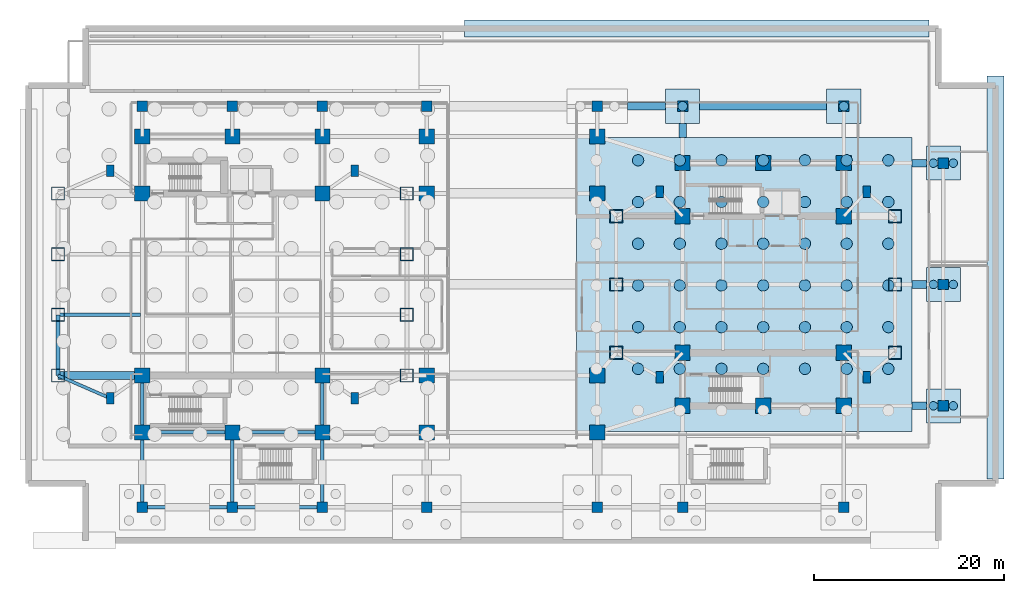
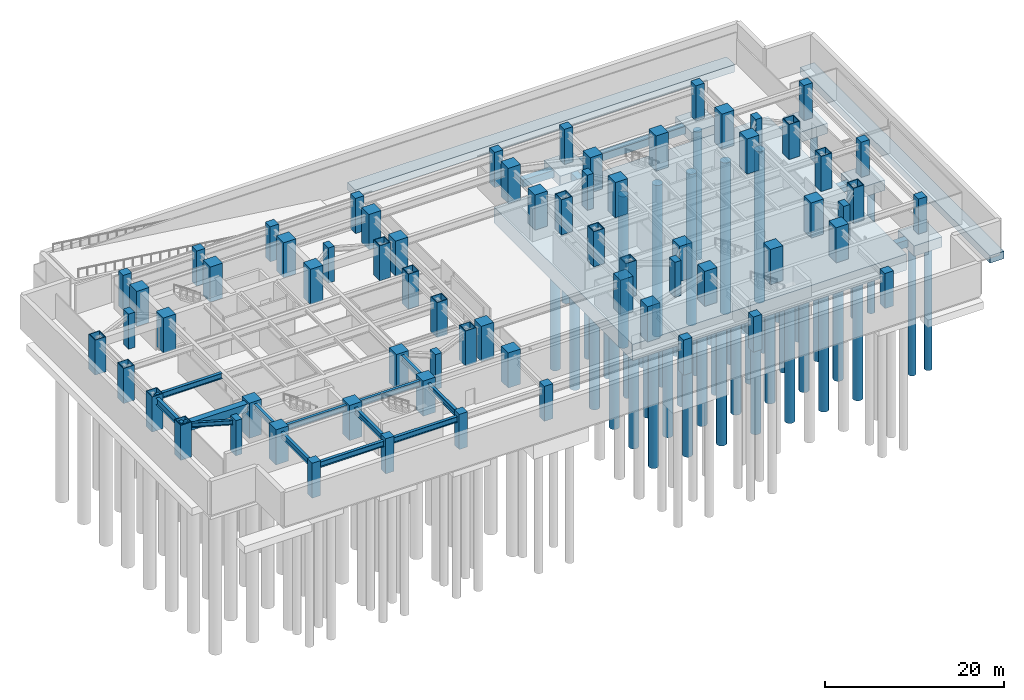
# One storey, part 2 of 16: 67 columns, 50 piles, 14 footings, 13 beams.
"""IFC4 building model written with IfcOpenShell, lengths in metres."""

from ifc_helpers import new_model, si_unit, direction, frame, origin, origin_2d, place, context, subcontext, project, spatial, polyline, rectangle, hollow_rectangle, circle, i_section, outline, extrude, material, material_profile, profile_set, type_object, element, save


model = new_model("IFC4")

# Units and contexts
model_context = context("Model", 3, precision=1e-05, world=origin(), true_north=direction((0.0, 1.0)))
body_context = subcontext(model_context, "Body", "Model", "MODEL_VIEW")
ifc_project = project(units=[si_unit("LENGTHUNIT", "METRE"), si_unit("AREAUNIT", "SQUARE_METRE"), si_unit("VOLUMEUNIT", "CUBIC_METRE"), si_unit("PLANEANGLEUNIT", "RADIAN"), si_unit("MASSUNIT", "GRAM", prefix="KILO")], contexts=[model_context])

# Site, building, storey
site_placement = place(None, origin())
site = spatial("IfcSite", under=ifc_project, at=site_placement, CompositionType="ELEMENT")
building_placement = place(site_placement, origin())
building = spatial("IfcBuilding", under=site, at=building_placement, Name="Mirazonda Arch Towers", CompositionType="ELEMENT")
storey_placement = place(building_placement, frame((0.0, 0.0, -4.800048828125)))
storey = spatial("IfcBuildingStorey", under=building, at=storey_placement, Name="B1", CompositionType="ELEMENT", Elevation=-4.800048828125)

# Footings
ifc_material_1 = material(Name="Concrete C50/60", Category="concrete")
footing_type_1 = type_object("IfcFootingType", Name="FOOT-CAP-POD-B", PredefinedType="PILE_CAP", material=ifc_material_1)
footing_1_placement = place(storey_placement, frame((0.0, 0.0, -1.800048828125)))
element("IfcFooting", 1, at=footing_1_placement, inside=storey, type_object=footing_type_1, Name="Pile Cap POD-N4", PredefinedType="PILE_CAP", context=body_context, shape_type="SweptSolid", body=[
    extrude(outline(polyline([(66.199951171875, 45.0), (69.800048828125, 45.0), (69.800048828125, 48.60009765625), (66.199951171875, 48.60009765625), (66.199951171875, 45.0)])), origin(), (0.0, 0.0, 1.0), 1.400146484375),
])
footing_2_placement = place(storey_placement, frame((0.0, 0.0, -1.800048828125)))
element("IfcFooting", 2, at=footing_2_placement, inside=storey, type_object=footing_type_1, Name="Pile Cap POD-N5", PredefinedType="PILE_CAP", context=body_context, shape_type="SweptSolid", body=[
    extrude(outline(polyline([(83.199951171875, 45.0), (86.800048828125, 45.0), (86.800048828125, 48.60009765625), (83.199951171875, 48.60009765625), (83.199951171875, 45.0)])), origin(), (0.0, 0.0, 1.0), 1.400146484375),
])
footing_3_placement = place(storey_placement, frame((0.0, 0.0, -1.800048828125)))
element("IfcFooting", 3, at=footing_3_placement, inside=storey, type_object=footing_type_1, Name="Pile Cap POD-E1", PredefinedType="PILE_CAP", context=body_context, shape_type="SweptSolid", body=[
    extrude(outline(polyline([(93.699951171875, 13.39990234375), (97.300048828125, 13.39990234375), (97.300048828125, 17.0), (93.699951171875, 17.0), (93.699951171875, 13.39990234375)])), origin(), (0.0, 0.0, 1.0), 1.400146484375),
])
footing_4_placement = place(storey_placement, frame((0.0, 0.0, -1.800048828125)))
element("IfcFooting", 4, at=footing_4_placement, inside=storey, type_object=footing_type_1, Name="Pile Cap POD-E2", PredefinedType="PILE_CAP", context=body_context, shape_type="SweptSolid", body=[
    extrude(outline(polyline([(93.699951171875, 26.199951171875), (97.300048828125, 26.199951171875), (97.300048828125, 29.800048828125), (93.699951171875, 29.800048828125), (93.699951171875, 26.199951171875)])), origin(), (0.0, 0.0, 1.0), 1.400146484375),
])
footing_5_placement = place(storey_placement, frame((0.0, 0.0, -1.800048828125)))
element("IfcFooting", 5, at=footing_5_placement, inside=storey, type_object=footing_type_1, Name="Pile Cap POD-E3", PredefinedType="PILE_CAP", context=body_context, shape_type="SweptSolid", body=[
    extrude(outline(polyline([(93.699951171875, 39.0), (97.300048828125, 39.0), (97.300048828125, 42.60009765625), (93.699951171875, 42.60009765625), (93.699951171875, 39.0)])), origin(), (0.0, 0.0, 1.0), 1.400146484375),
])
footing_type_2 = type_object("IfcFootingType", Name="FOOT-RAFT-T2", PredefinedType="PILE_CAP", material=ifc_material_1)
footing_6_placement = place(storey_placement, frame((0.0, 0.0, -2.599853515625)))
element("IfcFooting", 6, at=footing_6_placement, inside=storey, type_object=footing_type_2, Name="Tower 2 Piled Raft Foundation", PredefinedType="PILE_CAP", context=body_context, shape_type="SweptSolid", body=[
    extrude(outline(polyline([(56.800048828125, 12.5), (92.199951171875, 12.5), (92.199951171875, 43.5), (56.800048828125, 43.5), (56.800048828125, 12.5)])), origin(), (0.0, 0.0, 1.0), 2.199951171875),
])
footing_type_3 = type_object("IfcFootingType", Name="FOOT-STRIP-RET", PredefinedType="STRIP_FOOTING", material=ifc_material_1)
footing_7_placement = place(storey_placement, frame((0.0, 0.0, -1.39990234375)))
element("IfcFooting", 7, at=footing_7_placement, inside=storey, type_object=footing_type_3, Name="Retaining Wall Strip Footing STF-N1", PredefinedType="STRIP_FOOTING", context=body_context, shape_type="SweptSolid", body=[
    extrude(outline(polyline([(45.0, 54.10009765625), (94.0, 54.10009765625), (94.0, 55.89990234375), (45.0, 55.89990234375), (45.0, 54.10009765625)])), origin(), (0.0, 0.0, 1.0), 1.0),
])
footing_8_placement = place(storey_placement, frame((0.0, 0.0, -1.39990234375)))
element("IfcFooting", 8, at=footing_8_placement, inside=storey, type_object=footing_type_3, Name="Retaining Wall Strip Footing STF-E1", PredefinedType="STRIP_FOOTING", context=body_context, shape_type="SweptSolid", body=[
    extrude(outline(polyline([(100.10009765625, 7.5), (101.89990234375, 7.5), (101.89990234375, 50.0), (100.10009765625, 50.0), (100.10009765625, 7.5)])), origin(), (0.0, 0.0, 1.0), 1.0),
])
footing_type_4 = type_object("IfcFootingType", Name="FOOT-TIE-BEAM-800", PredefinedType="FOOTING_BEAM", material=ifc_material_1)
footing_9_placement = place(storey_placement, frame((0.0, 0.0, -1.39990234375)))
element("IfcFooting", 9, at=footing_9_placement, inside=storey, type_object=footing_type_4, Name="Ground Tie Beam TB-N-2", PredefinedType="FOOTING_BEAM", context=body_context, shape_type="SweptSolid", body=[
    extrude(outline(polyline([(62.199951171875, 46.39990234375), (66.199951171875, 46.39990234375), (66.199951171875, 47.199951171875), (62.199951171875, 47.199951171875), (62.199951171875, 46.39990234375)])), origin(), (0.0, 0.0, 1.0), 1.0),
])
footing_10_placement = place(storey_placement, frame((0.0, 0.0, -1.39990234375)))
element("IfcFooting", 10, at=footing_10_placement, inside=storey, type_object=footing_type_4, Name="Ground Tie Beam TB-N-3", PredefinedType="FOOTING_BEAM", context=body_context, shape_type="SweptSolid", body=[
    extrude(outline(polyline([(69.800048828125, 46.39990234375), (83.199951171875, 46.39990234375), (83.199951171875, 47.199951171875), (69.800048828125, 47.199951171875), (69.800048828125, 46.39990234375)])), origin(), (0.0, 0.0, 1.0), 1.0),
])
footing_11_placement = place(storey_placement, frame((0.0, 0.0, -1.39990234375)))
element("IfcFooting", 11, at=footing_11_placement, inside=storey, type_object=footing_type_4, Name="Ground Tie Beam TB-CN-1", PredefinedType="FOOTING_BEAM", context=body_context, shape_type="SweptSolid", body=[
    extrude(outline(polyline([(67.60009765625, 43.5), (68.39990234375, 43.5), (68.39990234375, 45.0), (67.60009765625, 45.0), (67.60009765625, 43.5)])), origin(), (0.0, 0.0, 1.0), 1.0),
])
footing_12_placement = place(storey_placement, frame((0.0, 0.0, -1.39990234375)))
element("IfcFooting", 12, at=footing_12_placement, inside=storey, type_object=footing_type_4, Name="Ground Tie Beam TB-E-1", PredefinedType="FOOTING_BEAM", context=body_context, shape_type="SweptSolid", body=[
    extrude(outline(polyline([(92.199951171875, 14.800048828125), (93.699951171875, 14.800048828125), (93.699951171875, 15.60009765625), (92.199951171875, 15.60009765625), (92.199951171875, 14.800048828125)])), origin(), (0.0, 0.0, 1.0), 1.0),
])
footing_13_placement = place(storey_placement, frame((0.0, 0.0, -1.39990234375)))
element("IfcFooting", 13, at=footing_13_placement, inside=storey, type_object=footing_type_4, Name="Ground Tie Beam TB-E-2", PredefinedType="FOOTING_BEAM", context=body_context, shape_type="SweptSolid", body=[
    extrude(outline(polyline([(92.199951171875, 27.60009765625), (93.699951171875, 27.60009765625), (93.699951171875, 28.39990234375), (92.199951171875, 28.39990234375), (92.199951171875, 27.60009765625)])), origin(), (0.0, 0.0, 1.0), 1.0),
])
footing_14_placement = place(storey_placement, frame((0.0, 0.0, -1.39990234375)))
element("IfcFooting", 14, at=footing_14_placement, inside=storey, type_object=footing_type_4, Name="Ground Tie Beam TB-E-3", PredefinedType="FOOTING_BEAM", context=body_context, shape_type="SweptSolid", body=[
    extrude(outline(polyline([(92.199951171875, 40.39990234375), (93.699951171875, 40.39990234375), (93.699951171875, 41.199951171875), (92.199951171875, 41.199951171875), (92.199951171875, 40.39990234375)])), origin(), (0.0, 0.0, 1.0), 1.0),
])

# Piles
ifc_material_profile_1 = material_profile(ifc_material_1, circle(Radius=0.5, at=origin_2d()), Name="BORED-D1000")
ifc_profile_set_1 = profile_set([ifc_material_profile_1], Name="Concrete C50/60")
pile_type_1 = type_object("IfcPileType", Name="PILE-1000", PredefinedType="BORED", material=ifc_profile_set_1)
for number, where, z_axis, x_axis, name in (
    (15, (68.0, 46.800048828125, -1.699951171875), (0.0, 0.0, -1.0), (1.0, 0.0, 0.0), "Rock-Socketed Bored Pile 031"),
    (16, (85.0, 46.800048828125, -1.699951171875), (0.0, 0.0, -1.0), (1.0, 0.0, 0.0), "Rock-Socketed Bored Pile 032"),
):
    element("IfcPile", number, at=place(storey_placement, frame(where, z_axis=z_axis, x_axis=x_axis)), inside=storey, type_object=pile_type_1, Name=name, PredefinedType="BORED", context=body_context, shape_type="SweptSolid", body=[
        extrude(circle(Radius=0.5, at=origin_2d()), origin(), (0.0, 0.0, 1.0), 17.5),
    ])
ifc_material_profile_2 = material_profile(ifc_material_1, circle(Radius=0.60009765625, at=origin_2d()), Name="BORED-D1200")
ifc_profile_set_2 = profile_set([ifc_material_profile_2], Name="Concrete C50/60")
pile_type_2 = type_object("IfcPileType", Name="PILE-1200", PredefinedType="BORED", material=ifc_profile_set_2)
for number, where, z_axis, x_axis, name in (
    (17, (63.300048828125, 19.10009765625, -2.5), (0.0, 0.0, -1.0), (1.0, 0.0, 0.0), "Tower 2 Raft Bored Pile 2-2"),
    (18, (63.300048828125, 23.5, -2.5), (0.0, 0.0, -1.0), (1.0, 0.0, 0.0), "Tower 2 Raft Bored Pile 2-3"),
    (19, (63.300048828125, 27.89990234375, -2.5), (0.0, 0.0, -1.0), (1.0, 0.0, 0.0), "Tower 2 Raft Bored Pile 2-4"),
    (20, (63.300048828125, 32.300048828125, -2.5), (0.0, 0.0, -1.0), (1.0, 0.0, 0.0), "Tower 2 Raft Bored Pile 2-5"),
    (21, (63.300048828125, 36.699951171875, -2.5), (0.0, 0.0, -1.0), (1.0, 0.0, 0.0), "Tower 2 Raft Bored Pile 2-6"),
    (22, (63.300048828125, 41.10009765625, -2.5), (0.0, 0.0, -1.0), (1.0, 0.0, 0.0), "Tower 2 Raft Bored Pile 2-7"),
    (23, (67.699951171875, 19.10009765625, -2.5), (0.0, 0.0, -1.0), (1.0, 0.0, 0.0), "Tower 2 Raft Bored Pile 3-2"),
    (24, (67.699951171875, 23.5, -2.5), (0.0, 0.0, -1.0), (1.0, 0.0, 0.0), "Tower 2 Raft Bored Pile 3-3"),
    (25, (67.699951171875, 27.89990234375, -2.5), (0.0, 0.0, -1.0), (1.0, 0.0, 0.0), "Tower 2 Raft Bored Pile 3-4"),
    (26, (67.699951171875, 32.300048828125, -2.5), (0.0, 0.0, -1.0), (1.0, 0.0, 0.0), "Tower 2 Raft Bored Pile 3-5"),
    (27, (67.699951171875, 36.699951171875, -2.5), (0.0, 0.0, -1.0), (1.0, 0.0, 0.0), "Tower 2 Raft Bored Pile 3-6"),
    (28, (67.699951171875, 41.10009765625, -2.5), (0.0, 0.0, -1.0), (1.0, 0.0, 0.0), "Tower 2 Raft Bored Pile 3-7"),
    (29, (72.10009765625, 19.10009765625, -2.5), (0.0, 0.0, -1.0), (1.0, 0.0, 0.0), "Tower 2 Raft Bored Pile 4-2"),
    (30, (72.10009765625, 23.5, -2.5), (0.0, 0.0, -1.0), (1.0, 0.0, 0.0), "Tower 2 Raft Bored Pile 4-3"),
    (31, (72.10009765625, 27.89990234375, -2.5), (0.0, 0.0, -1.0), (1.0, 0.0, 0.0), "Tower 2 Raft Bored Pile 4-4"),
    (32, (72.10009765625, 32.300048828125, -2.5), (0.0, 0.0, -1.0), (1.0, 0.0, 0.0), "Tower 2 Raft Bored Pile 4-5"),
    (33, (72.10009765625, 36.699951171875, -2.5), (0.0, 0.0, -1.0), (1.0, 0.0, 0.0), "Tower 2 Raft Bored Pile 4-6"),
    (34, (72.10009765625, 41.10009765625, -2.5), (0.0, 0.0, -1.0), (1.0, 0.0, 0.0), "Tower 2 Raft Bored Pile 4-7"),
    (35, (76.5, 19.10009765625, -2.5), (0.0, 0.0, -1.0), (1.0, 0.0, 0.0), "Tower 2 Raft Bored Pile 5-2"),
    (36, (76.5, 23.5, -2.5), (0.0, 0.0, -1.0), (1.0, 0.0, 0.0), "Tower 2 Raft Bored Pile 5-3"),
    (37, (76.5, 27.89990234375, -2.5), (0.0, 0.0, -1.0), (1.0, 0.0, 0.0), "Tower 2 Raft Bored Pile 5-4"),
    (38, (76.5, 32.300048828125, -2.5), (0.0, 0.0, -1.0), (1.0, 0.0, 0.0), "Tower 2 Raft Bored Pile 5-5"),
    (39, (76.5, 36.699951171875, -2.5), (0.0, 0.0, -1.0), (1.0, 0.0, 0.0), "Tower 2 Raft Bored Pile 5-6"),
    (40, (76.5, 41.10009765625, -2.5), (0.0, 0.0, -1.0), (1.0, 0.0, 0.0), "Tower 2 Raft Bored Pile 5-7"),
    (41, (80.89990234375, 19.10009765625, -2.5), (0.0, 0.0, -1.0), (1.0, 0.0, 0.0), "Tower 2 Raft Bored Pile 6-2"),
    (42, (80.89990234375, 23.5, -2.5), (0.0, 0.0, -1.0), (1.0, 0.0, 0.0), "Tower 2 Raft Bored Pile 6-3"),
    (43, (80.89990234375, 27.89990234375, -2.5), (0.0, 0.0, -1.0), (1.0, 0.0, 0.0), "Tower 2 Raft Bored Pile 6-4"),
    (44, (80.89990234375, 32.300048828125, -2.5), (0.0, 0.0, -1.0), (1.0, 0.0, 0.0), "Tower 2 Raft Bored Pile 6-5"),
    (45, (80.89990234375, 36.699951171875, -2.5), (0.0, 0.0, -1.0), (1.0, 0.0, 0.0), "Tower 2 Raft Bored Pile 6-6"),
    (46, (80.89990234375, 41.10009765625, -2.5), (0.0, 0.0, -1.0), (1.0, 0.0, 0.0), "Tower 2 Raft Bored Pile 6-7"),
    (47, (85.300048828125, 19.10009765625, -2.5), (0.0, 0.0, -1.0), (1.0, 0.0, 0.0), "Tower 2 Raft Bored Pile 7-2"),
    (48, (85.300048828125, 23.5, -2.5), (0.0, 0.0, -1.0), (1.0, 0.0, 0.0), "Tower 2 Raft Bored Pile 7-3"),
    (49, (85.300048828125, 27.89990234375, -2.5), (0.0, 0.0, -1.0), (1.0, 0.0, 0.0), "Tower 2 Raft Bored Pile 7-4"),
    (50, (85.300048828125, 32.300048828125, -2.5), (0.0, 0.0, -1.0), (1.0, 0.0, 0.0), "Tower 2 Raft Bored Pile 7-5"),
    (51, (85.300048828125, 36.699951171875, -2.5), (0.0, 0.0, -1.0), (1.0, 0.0, 0.0), "Tower 2 Raft Bored Pile 7-6"),
    (52, (85.300048828125, 41.10009765625, -2.5), (0.0, 0.0, -1.0), (1.0, 0.0, 0.0), "Tower 2 Raft Bored Pile 7-7"),
    (53, (89.699951171875, 19.10009765625, -2.5), (0.0, 0.0, -1.0), (1.0, 0.0, 0.0), "Tower 2 Raft Bored Pile 8-2"),
    (54, (89.699951171875, 23.5, -2.5), (0.0, 0.0, -1.0), (1.0, 0.0, 0.0), "Tower 2 Raft Bored Pile 8-3"),
    (55, (89.699951171875, 27.89990234375, -2.5), (0.0, 0.0, -1.0), (1.0, 0.0, 0.0), "Tower 2 Raft Bored Pile 8-4"),
    (56, (89.699951171875, 32.300048828125, -2.5), (0.0, 0.0, -1.0), (1.0, 0.0, 0.0), "Tower 2 Raft Bored Pile 8-5"),
    (57, (89.699951171875, 36.699951171875, -2.5), (0.0, 0.0, -1.0), (1.0, 0.0, 0.0), "Tower 2 Raft Bored Pile 8-6"),
    (58, (89.699951171875, 41.10009765625, -2.5), (0.0, 0.0, -1.0), (1.0, 0.0, 0.0), "Tower 2 Raft Bored Pile 8-7"),
):
    element("IfcPile", number, at=place(storey_placement, frame(where, z_axis=z_axis, x_axis=x_axis)), inside=storey, type_object=pile_type_2, Name=name, PredefinedType="BORED", context=body_context, shape_type="SweptSolid", body=[
        extrude(circle(Radius=0.60009765625, at=origin_2d()), origin(), (0.0, 0.0, 1.0), 20.699951171875),
    ])
ifc_material_profile_3 = material_profile(ifc_material_1, circle(Radius=0.449951171875, at=origin_2d()), Name="BORED-D900")
ifc_profile_set_3 = profile_set([ifc_material_profile_3], Name="Concrete C50/60")
pile_type_3 = type_object("IfcPileType", Name="PILE-900", PredefinedType="BORED", material=ifc_profile_set_3)
for number, where, z_axis, x_axis, name in (
    (59, (94.449951171875, 15.199951171875, -1.699951171875), (0.0, 0.0, -1.0), (1.0, 0.0, 0.0), "Rock-Socketed Bored Pile 033"),
    (60, (96.550048828125, 15.199951171875, -1.699951171875), (0.0, 0.0, -1.0), (1.0, 0.0, 0.0), "Rock-Socketed Bored Pile 034"),
    (61, (94.449951171875, 28.0, -1.699951171875), (0.0, 0.0, -1.0), (1.0, 0.0, 0.0), "Rock-Socketed Bored Pile 035"),
    (62, (96.550048828125, 28.0, -1.699951171875), (0.0, 0.0, -1.0), (1.0, 0.0, 0.0), "Rock-Socketed Bored Pile 036"),
    (63, (94.449951171875, 40.800048828125, -1.699951171875), (0.0, 0.0, -1.0), (1.0, 0.0, 0.0), "Rock-Socketed Bored Pile 037"),
    (64, (96.550048828125, 40.800048828125, -1.699951171875), (0.0, 0.0, -1.0), (1.0, 0.0, 0.0), "Rock-Socketed Bored Pile 038"),
):
    element("IfcPile", number, at=place(storey_placement, frame(where, z_axis=z_axis, x_axis=x_axis)), inside=storey, type_object=pile_type_3, Name=name, PredefinedType="BORED", context=body_context, shape_type="SweptSolid", body=[
        extrude(circle(Radius=0.449951171875, at=origin_2d()), origin(), (0.0, 0.0, 1.0), 17.5),
    ])

# Columns
ifc_material_profile_4 = material_profile(ifc_material_1, rectangle(XDim=1.10009765625, YDim=1.10009765625, at=origin_2d()), Name="RC1100x1100")
ifc_profile_set_4 = profile_set([ifc_material_profile_4], Name="Concrete C50/60")
column_type_1 = type_object("IfcColumnType", Name="COL-INT-RC1100x1100", PredefinedType="COLUMN", material=ifc_profile_set_4)
for number, where, z_axis, x_axis, name in (
    (65, (11.0, 4.5, 0.0), (0.0, 0.0, 1.0), (1.0, 0.0, 0.0), "B1 Podium Column 01"),
    (66, (20.5, 4.5, 0.0), (0.0, 0.0, 1.0), (1.0, 0.0, 0.0), "B1 Podium Column 02"),
    (67, (30.0, 4.5, 0.0), (0.0, 0.0, 1.0), (1.0, 0.0, 0.0), "B1 Podium Column 03"),
    (68, (41.0, 4.5, 0.0), (0.0, 0.0, 1.0), (1.0, 0.0, 0.0), "B1 Podium Column 04"),
    (69, (59.0, 4.5, 0.0), (0.0, 0.0, 1.0), (1.0, 0.0, 0.0), "B1 Podium Column 05"),
    (70, (68.0, 4.5, 0.0), (0.0, 0.0, 1.0), (1.0, 0.0, 0.0), "B1 Podium Column 06"),
    (71, (85.0, 4.5, 0.0), (0.0, 0.0, 1.0), (1.0, 0.0, 0.0), "B1 Podium Column 07"),
    (72, (11.0, 46.800048828125, 0.0), (0.0, 0.0, 1.0), (1.0, 0.0, 0.0), "B1 Podium Column 08"),
    (73, (20.5, 46.800048828125, 0.0), (0.0, 0.0, 1.0), (1.0, 0.0, 0.0), "B1 Podium Column 09"),
    (74, (30.0, 46.800048828125, 0.0), (0.0, 0.0, 1.0), (1.0, 0.0, 0.0), "B1 Podium Column 10"),
    (75, (41.0, 46.800048828125, 0.0), (0.0, 0.0, 1.0), (1.0, 0.0, 0.0), "B1 Podium Column 11"),
    (76, (59.0, 46.800048828125, 0.0), (0.0, 0.0, 1.0), (1.0, 0.0, 0.0), "B1 Podium Column 12"),
    (77, (68.0, 46.800048828125, 0.0), (0.0, 0.0, 1.0), (1.0, 0.0, 0.0), "B1 Podium Column 13"),
    (78, (85.0, 46.800048828125, 0.0), (0.0, 0.0, 1.0), (1.0, 0.0, 0.0), "B1 Podium Column 14"),
    (79, (95.5, 15.199951171875, 0.0), (0.0, 0.0, 1.0), (1.0, 0.0, 0.0), "B1 Podium Column 15"),
    (80, (95.5, 28.0, 0.0), (0.0, 0.0, 1.0), (1.0, 0.0, 0.0), "B1 Podium Column 16"),
    (81, (95.5, 40.800048828125, 0.0), (0.0, 0.0, 1.0), (1.0, 0.0, 0.0), "B1 Podium Column 17"),
):
    element("IfcColumn", number, at=place(storey_placement, frame(where, z_axis=z_axis, x_axis=x_axis)), inside=storey, type_object=column_type_1, Name=name, PredefinedType="COLUMN", context=body_context, shape_type="SweptSolid", body=[
        extrude(rectangle(XDim=1.10009765625, YDim=1.10009765625, at=origin_2d()), origin(), (0.0, 0.0, 1.0), 4.800048828125),
    ])
ifc_material_2 = material(Name="Concrete C60/75", Category="concrete")
ifc_material_profile_5 = material_profile(ifc_material_2, rectangle(XDim=1.60009765625, YDim=1.60009765625, at=origin_2d()), Name="RC1600x1600")
ifc_profile_set_5 = profile_set([ifc_material_profile_5], Name="Concrete C60/75")
column_type_2 = type_object("IfcColumnType", Name="COL-INT-RC1600x1600", PredefinedType="COLUMN", material=ifc_profile_set_5)
for number, where, z_axis, x_axis, name in (
    (82, (11.0, 12.39990234375, 0.0), (0.0, 0.0, 1.0), (1.0, 0.0, 0.0), "B1 T1 Core Column 01"),
    (83, (20.5, 12.39990234375, 0.0), (0.0, 0.0, 1.0), (1.0, 0.0, 0.0), "B1 T1 Core Column 02"),
    (84, (30.0, 12.39990234375, 0.0), (0.0, 0.0, 1.0), (1.0, 0.0, 0.0), "B1 T1 Core Column 03"),
    (85, (11.0, 18.39990234375, 0.0), (0.0, 0.0, 1.0), (1.0, 0.0, 0.0), "B1 T1 Core Column 04"),
    (86, (30.0, 18.39990234375, 0.0), (0.0, 0.0, 1.0), (1.0, 0.0, 0.0), "B1 T1 Core Column 05"),
    (87, (11.0, 37.60009765625, 0.0), (0.0, 0.0, 1.0), (1.0, 0.0, 0.0), "B1 T1 Core Column 06"),
    (88, (30.0, 37.60009765625, 0.0), (0.0, 0.0, 1.0), (1.0, 0.0, 0.0), "B1 T1 Core Column 07"),
    (89, (11.0, 43.60009765625, 0.0), (0.0, 0.0, 1.0), (1.0, 0.0, 0.0), "B1 T1 Core Column 08"),
    (90, (20.5, 43.60009765625, 0.0), (0.0, 0.0, 1.0), (1.0, 0.0, 0.0), "B1 T1 Core Column 09"),
    (91, (30.0, 43.60009765625, 0.0), (0.0, 0.0, 1.0), (1.0, 0.0, 0.0), "B1 T1 Core Column 10"),
    (92, (68.0, 15.199951171875, 0.0), (0.0, 0.0, 1.0), (1.0, 0.0, 0.0), "B1 T2 Core Column 01"),
    (93, (76.5, 15.199951171875, 0.0), (0.0, 0.0, 1.0), (1.0, 0.0, 0.0), "B1 T2 Core Column 02"),
    (94, (85.0, 15.199951171875, 0.0), (0.0, 0.0, 1.0), (1.0, 0.0, 0.0), "B1 T2 Core Column 03"),
    (95, (68.0, 20.800048828125, 0.0), (0.0, 0.0, 1.0), (1.0, 0.0, 0.0), "B1 T2 Core Column 04"),
    (96, (85.0, 20.800048828125, 0.0), (0.0, 0.0, 1.0), (1.0, 0.0, 0.0), "B1 T2 Core Column 05"),
    (97, (68.0, 35.199951171875, 0.0), (0.0, 0.0, 1.0), (1.0, 0.0, 0.0), "B1 T2 Core Column 06"),
    (98, (85.0, 35.199951171875, 0.0), (0.0, 0.0, 1.0), (1.0, 0.0, 0.0), "B1 T2 Core Column 07"),
    (99, (68.0, 40.800048828125, 0.0), (0.0, 0.0, 1.0), (1.0, 0.0, 0.0), "B1 T2 Core Column 08"),
    (100, (76.5, 40.800048828125, 0.0), (0.0, 0.0, 1.0), (1.0, 0.0, 0.0), "B1 T2 Core Column 09"),
    (101, (85.0, 40.800048828125, 0.0), (0.0, 0.0, 1.0), (1.0, 0.0, 0.0), "B1 T2 Core Column 10"),
    (102, (41.0, 12.39990234375, 0.0), (0.0, 0.0, 1.0), (1.0, 0.0, 0.0), "B1 Arch Springing Pier 01"),
    (103, (41.0, 18.39990234375, 0.0), (0.0, 0.0, 1.0), (1.0, 0.0, 0.0), "B1 Arch Springing Pier 02"),
    (104, (41.0, 37.60009765625, 0.0), (0.0, 0.0, 1.0), (1.0, 0.0, 0.0), "B1 Arch Springing Pier 03"),
    (105, (41.0, 43.60009765625, 0.0), (0.0, 0.0, 1.0), (1.0, 0.0, 0.0), "B1 Arch Springing Pier 04"),
    (106, (59.0, 12.39990234375, 0.0), (0.0, 0.0, 1.0), (1.0, 0.0, 0.0), "B1 Arch Springing Pier 05"),
    (107, (59.0, 18.39990234375, 0.0), (0.0, 0.0, 1.0), (1.0, 0.0, 0.0), "B1 Arch Springing Pier 06"),
    (108, (59.0, 37.60009765625, 0.0), (0.0, 0.0, 1.0), (1.0, 0.0, 0.0), "B1 Arch Springing Pier 07"),
    (109, (59.0, 43.60009765625, 0.0), (0.0, 0.0, 1.0), (1.0, 0.0, 0.0), "B1 Arch Springing Pier 08"),
):
    element("IfcColumn", number, at=place(storey_placement, frame(where, z_axis=z_axis, x_axis=x_axis)), inside=storey, type_object=column_type_2, Name=name, PredefinedType="COLUMN", context=body_context, shape_type="SweptSolid", body=[
        extrude(rectangle(XDim=1.60009765625, YDim=1.60009765625, at=origin_2d()), origin(), (0.0, 0.0, 1.0), 4.800048828125),
    ])
ifc_material_3 = material(Name="Steel ASTM A572 Grade 50", Category="steel")
ifc_material_profile_6 = material_profile(ifc_material_3, hollow_rectangle(XDim=1.39990234375, YDim=1.39990234375, WallThickness=0.080078125, at=origin_2d()), Name="BOX1400x1400x80")
ifc_profile_set_6 = profile_set([ifc_material_profile_6], Name="Steel ASTM A572 Grade 50")
column_type_3 = type_object("IfcColumnType", Name="MCOL-EXT-BOX1400x1400x80", PredefinedType="COLUMN", material=ifc_profile_set_6)
for number, where, z_axis, x_axis, name in (
    (110, (2.10009765625, 18.39990234375, 0.0), (0.0, 0.0, 1.0), (1.0, 0.0, 0.0), "B1 T1 Composite Mega-Column 01"),
    (111, (2.10009765625, 24.800048828125, 0.0), (0.0, 0.0, 1.0), (1.0, 0.0, 0.0), "B1 T1 Composite Mega-Column 02"),
    (112, (2.10009765625, 31.199951171875, 0.0), (0.0, 0.0, 1.0), (1.0, 0.0, 0.0), "B1 T1 Composite Mega-Column 03"),
    (113, (2.10009765625, 37.60009765625, 0.0), (0.0, 0.0, 1.0), (1.0, 0.0, 0.0), "B1 T1 Composite Mega-Column 04"),
    (114, (38.89990234375, 18.39990234375, 0.0), (0.0, 0.0, 1.0), (1.0, 0.0, 0.0), "B1 T1 Composite Mega-Column 05"),
    (115, (38.89990234375, 24.800048828125, 0.0), (0.0, 0.0, 1.0), (1.0, 0.0, 0.0), "B1 T1 Composite Mega-Column 06"),
    (116, (38.89990234375, 31.199951171875, 0.0), (0.0, 0.0, 1.0), (1.0, 0.0, 0.0), "B1 T1 Composite Mega-Column 07"),
    (117, (38.89990234375, 37.60009765625, 0.0), (0.0, 0.0, 1.0), (1.0, 0.0, 0.0), "B1 T1 Composite Mega-Column 08"),
    (118, (61.0, 20.800048828125, 0.0), (0.0, 0.0, 1.0), (1.0, 0.0, 0.0), "B1 T2 Composite Mega-Column 01"),
    (119, (61.0, 28.0, 0.0), (0.0, 0.0, 1.0), (1.0, 0.0, 0.0), "B1 T2 Composite Mega-Column 02"),
    (120, (61.0, 35.199951171875, 0.0), (0.0, 0.0, 1.0), (1.0, 0.0, 0.0), "B1 T2 Composite Mega-Column 03"),
    (121, (90.39990234375, 20.800048828125, 0.0), (0.0, 0.0, 1.0), (1.0, 0.0, 0.0), "B1 T2 Composite Mega-Column 04"),
    (122, (90.39990234375, 28.0, 0.0), (0.0, 0.0, 1.0), (1.0, 0.0, 0.0), "B1 T2 Composite Mega-Column 05"),
    (123, (90.39990234375, 35.199951171875, 0.0), (0.0, 0.0, 1.0), (1.0, 0.0, 0.0), "B1 T2 Composite Mega-Column 06"),
):
    element("IfcColumn", number, at=place(storey_placement, frame(where, z_axis=z_axis, x_axis=x_axis)), inside=storey, type_object=column_type_3, Name=name, PredefinedType="COLUMN", context=body_context, shape_type="SweptSolid", body=[
        extrude(hollow_rectangle(XDim=1.39990234375, YDim=1.39990234375, WallThickness=0.080078125, at=origin_2d()), origin(), (0.0, 0.0, 1.0), 4.800048828125),
    ])
ifc_material_profile_7 = material_profile(ifc_material_2, rectangle(XDim=0.800048828125, YDim=1.199951171875, at=origin_2d()), Name="RC1200x800")
ifc_profile_set_7 = profile_set([ifc_material_profile_7], Name="Concrete C60/75")
column_type_4 = type_object("IfcColumnType", Name="PIL-EXT-RC1200x800", PredefinedType="PILASTER", material=ifc_profile_set_7)
for number, where, z_axis, x_axis, name in (
    (124, (7.60009765625, 16.0, 0.0), (0.0, 0.0, 1.0), (1.0, 0.0, 0.0), "B1 T1 Corner Pilaster 01"),
    (125, (33.39990234375, 16.0, 0.0), (0.0, 0.0, 1.0), (1.0, 0.0, 0.0), "B1 T1 Corner Pilaster 02"),
    (126, (7.60009765625, 40.0, 0.0), (0.0, 0.0, 1.0), (1.0, 0.0, 0.0), "B1 T1 Corner Pilaster 03"),
    (127, (33.39990234375, 40.0, 0.0), (0.0, 0.0, 1.0), (1.0, 0.0, 0.0), "B1 T1 Corner Pilaster 04"),
    (128, (65.60009765625, 18.199951171875, 0.0), (0.0, 0.0, 1.0), (1.0, 0.0, 0.0), "B1 T2 Corner Pilaster 01"),
    (129, (87.39990234375, 18.199951171875, 0.0), (0.0, 0.0, 1.0), (1.0, 0.0, 0.0), "B1 T2 Corner Pilaster 02"),
    (130, (65.60009765625, 37.800048828125, 0.0), (0.0, 0.0, 1.0), (1.0, 0.0, 0.0), "B1 T2 Corner Pilaster 03"),
    (131, (87.39990234375, 37.800048828125, 0.0), (0.0, 0.0, 1.0), (1.0, 0.0, 0.0), "B1 T2 Corner Pilaster 04"),
):
    element("IfcColumn", number, at=place(storey_placement, frame(where, z_axis=z_axis, x_axis=x_axis)), inside=storey, type_object=column_type_4, Name=name, PredefinedType="PILASTER", context=body_context, shape_type="SweptSolid", body=[
        extrude(rectangle(XDim=0.800048828125, YDim=1.199951171875, at=origin_2d()), origin(), (0.0, 0.0, 1.0), 4.800048828125),
    ])

# Beams
ifc_material_4 = material(Name="Steel ASTM A992 Grade 50", Category="steel")
ifc_material_profile_8 = material_profile(ifc_material_4, i_section(OverallWidth=0.381103515625, OverallDepth=0.77294921875, WebThickness=0.0166015625, FlangeThickness=0.027099609375, at=origin_2d()), Name="W30X173")
ifc_profile_set_8 = profile_set([ifc_material_profile_8], Name="Steel ASTM A992 Grade 50")
beam_type_1 = type_object("IfcBeamType", Name="BM-EXT-W30X173", PredefinedType="USERDEFINED", material=ifc_profile_set_8)
for number, where, z_axis, x_axis, name in (
    (132, (11.0, 4.5, 3.91357421875), (1.0, 0.0, 0.0), (0.0, 1.0, 0.0), "B1 Floor Beam BM-POD-B1-PS-1"),
    (133, (20.5, 4.5, 3.91357421875), (1.0, 0.0, 0.0), (0.0, 1.0, 0.0), "B1 Floor Beam BM-POD-B1-PS-2"),
):
    element("IfcBeam", number, at=place(storey_placement, frame(where, z_axis=z_axis, x_axis=x_axis)), inside=storey, type_object=beam_type_1, Name=name, ObjectType="GIRDER", PredefinedType="USERDEFINED", context=body_context, shape_type="SweptSolid", body=[
        extrude(i_section(OverallWidth=0.381103515625, OverallDepth=0.77294921875, WebThickness=0.0166015625, FlangeThickness=0.027099609375, at=origin_2d()), origin(), (0.0, 0.0, 1.0), 9.5),
    ])
ifc_material_profile_9 = material_profile(ifc_material_4, i_section(OverallWidth=0.41796875, OverallDepth=0.927001953125, WebThickness=0.019287109375, FlangeThickness=0.031982421875, at=origin_2d()), Name="W36X231")
ifc_profile_set_9 = profile_set([ifc_material_profile_9], Name="Steel ASTM A992 Grade 50")
beam_type_2 = type_object("IfcBeamType", Name="BM-EXT-W36X231", PredefinedType="USERDEFINED", material=ifc_profile_set_9)
beam_1_placement = place(storey_placement, frame((2.10009765625, 18.39990234375, 4.0166015625), z_axis=(0.0, 1.0, 0.0), x_axis=(-1.0, 0.0, 0.0)))
element("IfcBeam", 134, at=beam_1_placement, inside=storey, type_object=beam_type_2, Name="B1 Floor Beam BM-T1-B1-NS-W-18", ObjectType="GIRDER", PredefinedType="USERDEFINED", context=body_context, shape_type="SweptSolid", body=[
    extrude(i_section(OverallWidth=0.41796875, OverallDepth=0.927001953125, WebThickness=0.019287109375, FlangeThickness=0.031982421875, at=origin_2d()), origin(), (0.0, 0.0, 1.0), 6.400146484375),
])
ifc_material_profile_10 = material_profile(ifc_material_4, i_section(OverallWidth=0.324951171875, OverallDepth=0.615966796875, WebThickness=0.013916015625, FlangeThickness=0.021484375, at=origin_2d()), Name="W24X117")
ifc_profile_set_10 = profile_set([ifc_material_profile_10], Name="Steel ASTM A992 Grade 50")
beam_type_3 = type_object("IfcBeamType", Name="BM-INT-W24X117", PredefinedType="BEAM", material=ifc_profile_set_10)
beam_2_placement = place(storey_placement, frame((7.60009765625, 16.0, 4.172119140625), z_axis=(-0.916545343703, 0.399930785183, 0.0), x_axis=(-0.399930785183, -0.916545343703, 0.0)))
element("IfcBeam", 135, at=beam_2_placement, inside=storey, type_object=beam_type_3, Name="B1 Floor Beam BM-T1-B1-PL-SW2", PredefinedType="BEAM", context=body_context, shape_type="SweptSolid", body=[
    extrude(i_section(OverallWidth=0.324951171875, OverallDepth=0.615966796875, WebThickness=0.013916015625, FlangeThickness=0.021484375, at=origin_2d()), origin(), (0.0, 0.0, 1.0), 6.000732421875),
])
ifc_material_profile_11 = material_profile(ifc_material_4, i_section(OverallWidth=0.381103515625, OverallDepth=0.77294921875, WebThickness=0.0166015625, FlangeThickness=0.027099609375, at=origin_2d()), Name="W30X173")
ifc_profile_set_11 = profile_set([ifc_material_profile_11], Name="Steel ASTM A992 Grade 50")
beam_type_4 = type_object("IfcBeamType", Name="BM-INT-W30X173", PredefinedType="USERDEFINED", material=ifc_profile_set_11)
beam_3_placement = place(storey_placement, frame((2.10009765625, 24.800048828125, 4.093505859375), z_axis=(1.0, 0.0, 0.0), x_axis=(0.0, 1.0, 0.0)))
element("IfcBeam", 136, at=beam_3_placement, inside=storey, type_object=beam_type_4, Name="B1 Floor Beam BM-T1-B1-GW2", ObjectType="GIRDER", PredefinedType="USERDEFINED", context=body_context, shape_type="SweptSolid", body=[
    extrude(i_section(OverallWidth=0.381103515625, OverallDepth=0.77294921875, WebThickness=0.0166015625, FlangeThickness=0.027099609375, at=origin_2d()), origin(), (0.0, 0.0, 1.0), 8.68994140625),
])
for number, where, z_axis, x_axis, name in (
    (137, (11.0, 12.39990234375, 4.093505859375), (1.0, 0.0, 0.0), (0.0, 1.0, 0.0), "B1 Floor Beam BM-T1-B1-CS1"),
    (138, (20.5, 12.39990234375, 4.093505859375), (1.0, 0.0, 0.0), (0.0, 1.0, 0.0), "B1 Floor Beam BM-T1-B1-CS2"),
):
    element("IfcBeam", number, at=place(storey_placement, frame(where, z_axis=z_axis, x_axis=x_axis)), inside=storey, type_object=beam_type_4, Name=name, ObjectType="GIRDER", PredefinedType="USERDEFINED", context=body_context, shape_type="SweptSolid", body=[
        extrude(i_section(OverallWidth=0.381103515625, OverallDepth=0.77294921875, WebThickness=0.0166015625, FlangeThickness=0.027099609375, at=origin_2d()), origin(), (0.0, 0.0, 1.0), 9.5),
    ])
for number, where, z_axis, x_axis, name in (
    (139, (11.0, 12.39990234375, 4.093505859375), (0.0, 1.0, 0.0), (-1.0, 0.0, 0.0), "B1 Floor Beam BM-T1-B1-CSW"),
    (140, (30.0, 12.39990234375, 4.093505859375), (0.0, 1.0, 0.0), (-1.0, 0.0, 0.0), "B1 Floor Beam BM-T1-B1-CSE"),
):
    element("IfcBeam", number, at=place(storey_placement, frame(where, z_axis=z_axis, x_axis=x_axis)), inside=storey, type_object=beam_type_4, Name=name, ObjectType="GIRDER", PredefinedType="USERDEFINED", context=body_context, shape_type="SweptSolid", body=[
        extrude(i_section(OverallWidth=0.381103515625, OverallDepth=0.77294921875, WebThickness=0.0166015625, FlangeThickness=0.027099609375, at=origin_2d()), origin(), (0.0, 0.0, 1.0), 6.0),
    ])
for number, where, z_axis, x_axis, name in (
    (141, (11.0, 4.5, 3.91357421875), (0.0, 1.0, 0.0), (-1.0, 0.0, 0.0), "B1 Floor Beam BM-POD-B1-PCS-1"),
    (142, (20.5, 4.5, 3.91357421875), (0.0, 1.0, 0.0), (-1.0, 0.0, 0.0), "B1 Floor Beam BM-POD-B1-PCS-2"),
    (143, (30.0, 4.5, 3.91357421875), (0.0, 1.0, 0.0), (-1.0, 0.0, 0.0), "B1 Floor Beam BM-POD-B1-PCS-3"),
):
    element("IfcBeam", number, at=place(storey_placement, frame(where, z_axis=z_axis, x_axis=x_axis)), inside=storey, type_object=beam_type_4, Name=name, ObjectType="GIRDER", PredefinedType="USERDEFINED", context=body_context, shape_type="SweptSolid", body=[
        extrude(i_section(OverallWidth=0.381103515625, OverallDepth=0.77294921875, WebThickness=0.0166015625, FlangeThickness=0.027099609375, at=origin_2d()), origin(), (0.0, 0.0, 1.0), 7.89990234375),
    ])
ifc_material_profile_12 = material_profile(ifc_material_2, rectangle(XDim=0.800048828125, YDim=1.10009765625, at=origin_2d()), Name="RCCB800x1100")
ifc_profile_set_12 = profile_set([ifc_material_profile_12], Name="Concrete C60/75")
beam_type_5 = type_object("IfcBeamType", Name="CB-INT-RCCB800x1100", PredefinedType="SPANDREL", material=ifc_profile_set_12)
beam_4_placement = place(storey_placement, frame((2.10009765625, 18.39990234375, 3.929931640625), z_axis=(1.0, 0.0, 0.0), x_axis=(0.0, 1.0, 0.0)))
element("IfcBeam", 144, at=beam_4_placement, inside=storey, type_object=beam_type_5, Name="B1 Floor Beam CB-T1-B1-SW", PredefinedType="SPANDREL", context=body_context, shape_type="SweptSolid", body=[
    extrude(rectangle(XDim=0.800048828125, YDim=1.10009765625, at=origin_2d()), origin(), (0.0, 0.0, 1.0), 8.89990234375),
])

save(model, "model.ifc")
